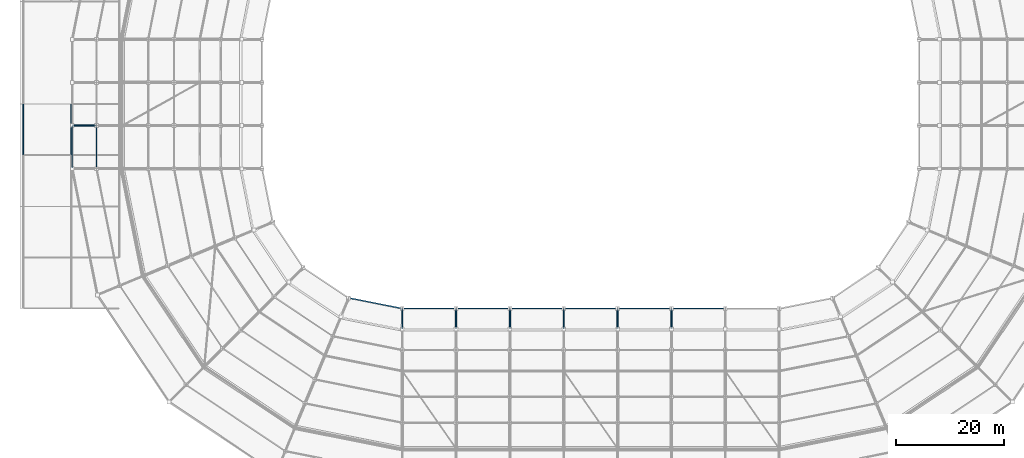
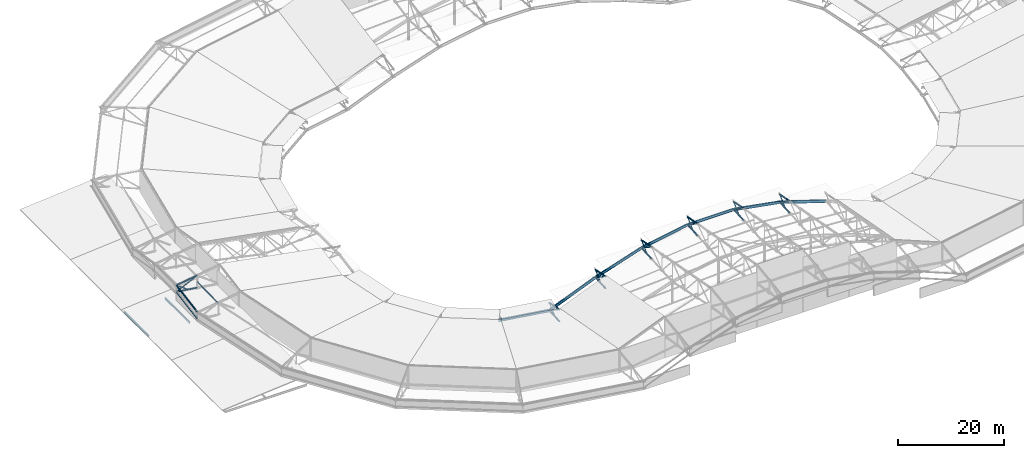
# One storey, part 36 of 146: 31 members, 9 beams.
"""IFC4 building model written with IfcOpenShell, lengths in metres."""

import ifcopenshell
import ifcopenshell.guid

model = None  # the IFC model being written
_history = None  # IfcOwnerHistory: only IFC2X3 demands one
_inside = {}  # id of a spatial element -> (the spatial element, [elements in it])
_under = {}  # id of a project, library or spatial element -> (it, [spatial elements below it])
_declared = {}  # id of a project -> (the project, [libraries it declares])
_typed = {}  # id of a type object -> (the type object, [elements of that type])
_made_of = {}  # id of a material, layer set ... -> (it, [elements and type objects made of it])


def new_model(schema):
    """Start an empty IFC model of exactly this schema.

    Asked for "IFC4X3", IfcOpenShell would pick the latest addendum, in which some entities
    have other attributes; the version numbers below select the first issue.
    IFC2X3 requires an IfcOwnerHistory on every rooted entity: one is made here for all.
    """
    global model, _history
    if schema == "IFC4X3":
        model = ifcopenshell.file(schema_version=(4, 3, 0, 0))
    else:
        model = ifcopenshell.file(schema=schema)
    _inside.clear()
    _under.clear()
    _declared.clear()
    _typed.clear()
    _made_of.clear()
    _history = None
    if model.schema == "IFC2X3":
        org = make("IfcOrganization", Name="unknown")
        user = make(
            "IfcPersonAndOrganization",
            ThePerson=make("IfcPerson", FamilyName="unknown"),
            TheOrganization=org,
        )
        app = make(
            "IfcApplication",
            ApplicationDeveloper=org,
            Version="unknown",
            ApplicationFullName="unknown",
            ApplicationIdentifier="unknown",
        )
        _history = make(
            "IfcOwnerHistory",
            OwningUser=user,
            OwningApplication=app,
            ChangeAction="ADDED",
            CreationDate=0,
        )
    return model


def make(cls, **values):
    """One entity of the class cls with the attributes given. An attribute that is None is left unset."""
    return model.create_entity(
        cls, **{name: value for name, value in values.items() if value is not None}
    )


def rooted(cls, **values):
    """An entity with a GlobalId (a new one), such as an element, a storey or a relation."""
    return make(cls, GlobalId=ifcopenshell.guid.new(), OwnerHistory=_history, **values)


def si_unit(unit_type, name, prefix=None):
    """IfcSIUnit, for example si_unit("LENGTHUNIT", "METRE", prefix="MILLI")."""
    return make("IfcSIUnit", UnitType=unit_type, Prefix=prefix, Name=name)


def assignment(units):
    """IfcUnitAssignment: the units of a project."""
    return None if units is None else make("IfcUnitAssignment", Units=units)


def point(xyz):
    """IfcCartesianPoint."""
    return None if xyz is None else make("IfcCartesianPoint", Coordinates=xyz)


def direction(xyz):
    """IfcDirection."""
    return None if xyz is None else make("IfcDirection", DirectionRatios=xyz)


def frame(location, z_axis=None, x_axis=None):
    """IfcAxis2Placement3D, a coordinate frame: its origin and axes. An axis left out is left unset."""
    return make(
        "IfcAxis2Placement3D",
        Location=point(location),
        Axis=direction(z_axis),
        RefDirection=direction(x_axis),
    )


def frame_2d(location, x_axis=None):
    """IfcAxis2Placement2D, a coordinate frame in the plane: its origin and x axis."""
    return make(
        "IfcAxis2Placement2D", Location=point(location), RefDirection=direction(x_axis)
    )


def origin():
    """The frame at (0, 0, 0) with its axes left unset."""
    return frame((0.0, 0.0, 0.0))


def origin_2d():
    """The frame at (0, 0) in the plane with its x axis left unset."""
    return frame_2d((0.0, 0.0))


def place(relative_to, where):
    """IfcLocalPlacement: puts the frame where relative to a parent placement (None: the world)."""
    return make(
        "IfcLocalPlacement", PlacementRelTo=relative_to, RelativePlacement=where
    )


def context(
    kind, dimensions, precision=None, world=None, true_north=None, identifier=None
):
    """IfcGeometricRepresentationContext, for example the 3D "Model" context."""
    return make(
        "IfcGeometricRepresentationContext",
        ContextIdentifier=identifier,
        ContextType=kind,
        CoordinateSpaceDimension=dimensions,
        Precision=precision,
        WorldCoordinateSystem=world,
        TrueNorth=true_north,
    )


def subcontext(parent, identifier, kind, view, scale=None):
    """IfcGeometricRepresentationSubContext, for example "Body" below "Model"."""
    return make(
        "IfcGeometricRepresentationSubContext",
        ContextIdentifier=identifier,
        ContextType=kind,
        ParentContext=parent,
        TargetScale=scale,
        TargetView=view,
    )


def project(units=None, contexts=None):
    """IfcProject with its units and contexts."""
    return rooted(
        "IfcProject",
        Name="project",
        RepresentationContexts=contexts,
        UnitsInContext=assignment(units),
    )


def spatial(cls, under=None, at=None, **own):
    """A site, building, storey or space (cls), placed at a placement, below another one or the project."""
    s = rooted(cls, ObjectPlacement=at, **own)
    if under is not None:
        _under.setdefault(under.id(), (under, []))[1].append(s)
    return s


def profile(cls, at=None, kind="AREA", **sizes):
    """A parametric profile (cls). Its sizes go by their IFC names, for example OverallWidth=200.0."""
    return make(cls, ProfileType=kind, Position=at, **sizes)


def hollow_circle(**sizes):
    """IfcCircleHollowProfileDef."""
    return profile("IfcCircleHollowProfileDef", **sizes)


def i_section(**sizes):
    """IfcIShapeProfileDef."""
    return profile("IfcIShapeProfileDef", **sizes)


def extrude(swept, where, along, depth):
    """IfcExtrudedAreaSolid: the profile swept, set in the frame where, extruded along a direction by depth."""
    return make(
        "IfcExtrudedAreaSolid",
        SweptArea=swept,
        Position=where,
        ExtrudedDirection=direction(along),
        Depth=depth,
    )


def shape(context_of_items, identifier, shape_type, items):
    """IfcShapeRepresentation: the items that make up one representation, for example the "Body"."""
    return make(
        "IfcShapeRepresentation",
        ContextOfItems=context_of_items,
        RepresentationIdentifier=identifier,
        RepresentationType=shape_type,
        Items=items,
    )


def material(Name=None, Category=None):
    """IfcMaterial."""
    return make("IfcMaterial", Name=Name, Category=Category)


def material_profile(
    of_material, cross_section, Name=None, Category=None, Priority=None
):
    """IfcMaterialProfile: a cross section and its material."""
    return make(
        "IfcMaterialProfile",
        Name=Name,
        Material=of_material,
        Profile=cross_section,
        Priority=Priority,
        Category=Category,
    )


def profile_set(profiles, Name=None, composite=None):
    """IfcMaterialProfileSet."""
    return make(
        "IfcMaterialProfileSet",
        Name=Name,
        MaterialProfiles=profiles,
        CompositeProfile=composite,
    )


def made_of(thing, what):
    """Note that an element or type object is made of a material, layer set ...; save() writes the relation."""
    if what is not None:
        _made_of.setdefault(what.id(), (what, []))[1].append(thing)
    return thing


def type_object(cls, material=None, **own):
    """A type object (cls), such as IfcWallType, which elements share."""
    return made_of(rooted(cls, **own), material)


def element(
    cls,
    number,
    at=None,
    inside=None,
    cuts=None,
    type_object=None,
    material=None,
    context=None,
    identifier="Body",
    shape_type=None,
    held_by="IfcProductDefinitionShape",
    body=None,
    shapes=None,
    **own,
):
    """One element of the class cls, such as IfcWall. Its Tag is "e" and its number.

    at: its placement. inside: the storey or other place that contains it. cuts: it is an
    opening in that element (IfcRelVoidsElement). A single representation is given by context,
    identifier, shape_type and body (its items); several are given by shapes. held_by: the class
    of the entity that holds the representations. save() writes the other relations.
    """
    e = rooted(cls, Tag="e%d" % number, ObjectPlacement=at, **own)
    if body is not None:
        shapes = [shape(context, identifier, shape_type, body)]
    if shapes is not None:
        e.Representation = make(held_by, Representations=shapes)
    if inside is not None:
        _inside.setdefault(inside.id(), (inside, []))[1].append(e)
    if cuts is not None:
        rooted(
            "IfcRelVoidsElement", RelatingBuildingElement=cuts, RelatedOpeningElement=e
        )
    if type_object is not None:
        _typed.setdefault(type_object.id(), (type_object, []))[1].append(e)
    return made_of(e, material)


def aggregate(whole, parts):
    """IfcRelAggregates: a whole, such as a stair, and the parts it consists of."""
    return rooted("IfcRelAggregates", RelatingObject=whole, RelatedObjects=parts)


def save(model, path):
    """Write the relations noted so far, then the file.

    IfcRelAggregates (storeys below a building ...), IfcRelContainedInSpatialStructure (elements
    in a storey), IfcRelDefinesByType, IfcRelAssociatesMaterial and IfcRelDeclares: one each for
    every whole, place, type object, material and project.
    """
    for whole, parts in _under.values():
        aggregate(whole, parts)
    for where, things in _inside.values():
        rooted(
            "IfcRelContainedInSpatialStructure",
            RelatedElements=things,
            RelatingStructure=where,
        )
    for kind, things in _typed.values():
        rooted("IfcRelDefinesByType", RelatedObjects=things, RelatingType=kind)
    for what, things in _made_of.values():
        rooted("IfcRelAssociatesMaterial", RelatedObjects=things, RelatingMaterial=what)
    for by, libraries in _declared.values():
        rooted("IfcRelDeclares", RelatingContext=by, RelatedDefinitions=libraries)
    model.write(path)


model = new_model("IFC4")

# Units and contexts
model_context = context("Model", 3, precision=1e-05, world=origin(), true_north=direction((0.0, 1.0)))
body_context = subcontext(model_context, "Body", "Model", "MODEL_VIEW")
ifc_project = project(units=[si_unit("LENGTHUNIT", "METRE"), si_unit("AREAUNIT", "SQUARE_METRE"), si_unit("VOLUMEUNIT", "CUBIC_METRE"), si_unit("PLANEANGLEUNIT", "RADIAN"), si_unit("MASSUNIT", "GRAM", prefix="KILO")], contexts=[model_context])

# Site, building, storey
site_placement = place(None, origin())
site = spatial("IfcSite", under=ifc_project, at=site_placement, CompositionType="ELEMENT")
building_placement = place(site_placement, origin())
building = spatial("IfcBuilding", under=site, at=building_placement, Name="Candeia Ridge Stadium", CompositionType="ELEMENT")
storey_placement = place(building_placement, frame((0.0, 0.0, 31.800048828125)))
storey = spatial("IfcBuildingStorey", under=building, at=storey_placement, Name="RF", CompositionType="ELEMENT", Elevation=31.800048828125)

# Beams
ifc_material = material(Name="Steel ASTM A572 Grade 50", Category="steel")
ifc_material_profile_1 = material_profile(ifc_material, i_section(OverallWidth=0.18994140625, OverallDepth=0.45703125, WebThickness=0.009033203125, FlangeThickness=0.014404296875, FilletRadius=0.012939453125, at=origin_2d()), Name="W460x74", Category="steel")
ifc_profile_set_1 = profile_set([ifc_material_profile_1], Name="Steel ASTM A572 Grade 50")
beam_type_1 = type_object("IfcBeamType", Name="Pavilion Steel Girder W460x74", PredefinedType="BEAM", material=ifc_profile_set_1)
for number, where, z_axis, x_axis, name in (
    (1, (0.60009765625, 73.550048828125, -0.57861328125), (0.0, 1.0, 0.0), (-1.0, 0.0, 0.0), "Structural girder BM-RF-1422"),
    (2, (9.5, 73.550048828125, -0.57861328125), (0.0, 1.0, 0.0), (-1.0, 0.0, 0.0), "Structural girder BM-RF-1430"),
):
    element("IfcBeam", number, at=place(storey_placement, frame(where, z_axis=z_axis, x_axis=x_axis)), inside=storey, type_object=beam_type_1, Name=name, PredefinedType="BEAM", context=body_context, shape_type="SweptSolid", body=[
        extrude(i_section(OverallWidth=0.18994140625, OverallDepth=0.45703125, WebThickness=0.009033203125, FlangeThickness=0.014404296875, FilletRadius=0.012939453125, at=origin_2d()), origin(), (0.0, 0.0, 1.0), 9.39990234375),
    ])
ifc_material_profile_2 = material_profile(ifc_material, i_section(OverallWidth=0.22998046875, OverallDepth=0.616943359375, WebThickness=0.01318359375, FlangeThickness=0.022216796875, FilletRadius=0.014892578125, at=origin_2d()), Name="W610x140", Category="steel")
ifc_profile_set_2 = profile_set([ifc_material_profile_2], Name="Steel ASTM A572 Grade 50")
beam_type_2 = type_object("IfcBeamType", Name="Roof Inner Tension Ring Beam W610x140", PredefinedType="BEAM", material=ifc_profile_set_2)
beam_1_placement = place(storey_placement, frame((61.08935546875, 46.971435546875, -1.9599609375), z_axis=(0.980783534047, -0.195099101337, 0.0), x_axis=(0.195099101337, 0.980783534047, 0.0)))
element("IfcBeam", 3, at=beam_1_placement, inside=storey, type_object=beam_type_2, Name="Roof inner tension ring beam bay 18", PredefinedType="BEAM", context=body_context, shape_type="SweptSolid", body=[
    extrude(i_section(OverallWidth=0.22998046875, OverallDepth=0.616943359375, WebThickness=0.01318359375, FlangeThickness=0.022216796875, FilletRadius=0.014892578125, at=origin_2d()), origin(), (0.0, 0.0, 1.0), 10.064697265625),
])
beam_2_placement = place(storey_placement, frame((71.037109375, 45.0, -1.94482421875), z_axis=(0.925953474799, 0.0, 0.37763760738), x_axis=(0.0, 1.0, 0.0)))
element("IfcBeam", 4, at=beam_2_placement, inside=storey, type_object=beam_type_2, Name="Roof inner tension ring beam bay 19", PredefinedType="BEAM", context=body_context, shape_type="SweptSolid", body=[
    extrude(i_section(OverallWidth=0.22998046875, OverallDepth=0.616943359375, WebThickness=0.01318359375, FlangeThickness=0.022216796875, FilletRadius=0.014892578125, at=origin_2d()), origin(), (0.0, 0.0, 1.0), 10.719482421875),
])
beam_3_placement = place(storey_placement, frame((81.0380859375, 45.0, 2.130859375), z_axis=(0.950452285368, 0.0, 0.310870476628), x_axis=(0.0, 1.0, 0.0)))
element("IfcBeam", 5, at=beam_3_placement, inside=storey, type_object=beam_type_2, Name="Roof inner tension ring beam bay 20", PredefinedType="BEAM", context=body_context, shape_type="SweptSolid", body=[
    extrude(i_section(OverallWidth=0.22998046875, OverallDepth=0.616943359375, WebThickness=0.01318359375, FlangeThickness=0.022216796875, FilletRadius=0.014892578125, at=origin_2d()), origin(), (0.0, 0.0, 1.0), 10.441162109375),
])
beam_4_placement = place(storey_placement, frame((91.039306640625, 45.0, 5.396240234375), z_axis=(0.983924099588, 0.0, 0.178587139095), x_axis=(0.0, 1.0, 0.0)))
element("IfcBeam", 6, at=beam_4_placement, inside=storey, type_object=beam_type_2, Name="Roof inner tension ring beam bay 21", PredefinedType="BEAM", context=body_context, shape_type="SweptSolid", body=[
    extrude(i_section(OverallWidth=0.22998046875, OverallDepth=0.616943359375, WebThickness=0.01318359375, FlangeThickness=0.022216796875, FilletRadius=0.014892578125, at=origin_2d()), origin(), (0.0, 0.0, 1.0), 10.08349609375),
])
beam_5_placement = place(storey_placement, frame((101.0400390625, 45.0, 7.204345703125), z_axis=(1.0, 0.0, 0.0), x_axis=(0.0, 1.0, 0.0)))
element("IfcBeam", 7, at=beam_5_placement, inside=storey, type_object=beam_type_2, Name="Roof inner tension ring beam bay 22", PredefinedType="BEAM", context=body_context, shape_type="SweptSolid", body=[
    extrude(i_section(OverallWidth=0.22998046875, OverallDepth=0.616943359375, WebThickness=0.01318359375, FlangeThickness=0.022216796875, FilletRadius=0.014892578125, at=origin_2d()), origin(), (0.0, 0.0, 1.0), 9.919921875),
])
beam_6_placement = place(storey_placement, frame((111.039306640625, 45.0, 7.197021484375), z_axis=(0.983924099588, 0.0, -0.178587139095), x_axis=(0.0, 1.0, 0.0)))
element("IfcBeam", 8, at=beam_6_placement, inside=storey, type_object=beam_type_2, Name="Roof inner tension ring beam bay 23", PredefinedType="BEAM", context=body_context, shape_type="SweptSolid", body=[
    extrude(i_section(OverallWidth=0.22998046875, OverallDepth=0.616943359375, WebThickness=0.01318359375, FlangeThickness=0.022216796875, FilletRadius=0.014892578125, at=origin_2d()), origin(), (0.0, 0.0, 1.0), 10.08349609375),
])
beam_7_placement = place(storey_placement, frame((121.0380859375, 45.0, 5.376708984375), z_axis=(0.950452285368, 0.0, -0.310870476628), x_axis=(0.0, 1.0, 0.0)))
element("IfcBeam", 9, at=beam_7_placement, inside=storey, type_object=beam_type_2, Name="Roof inner tension ring beam bay 24", PredefinedType="BEAM", context=body_context, shape_type="SweptSolid", body=[
    extrude(i_section(OverallWidth=0.22998046875, OverallDepth=0.616943359375, WebThickness=0.01318359375, FlangeThickness=0.022216796875, FilletRadius=0.014892578125, at=origin_2d()), origin(), (0.0, 0.0, 1.0), 10.441162109375),
])

# Members
ifc_material_profile_3 = material_profile(ifc_material, i_section(OverallWidth=0.1650390625, OverallDepth=0.200927734375, WebThickness=0.006103515625, FlangeThickness=0.01025390625, FilletRadius=0.010009765625, at=origin_2d()), Name="W200x35.9", Category="steel")
ifc_profile_set_3 = profile_set([ifc_material_profile_3], Name="Steel ASTM A572 Grade 50")
member_type_1 = type_object("IfcMemberType", Name="Roof Purlin W200x35.9", PredefinedType="PURLIN", material=ifc_profile_set_3)
member_1_placement = place(storey_placement, frame((14.199951171875, 78.949951171875, 3.93115234375), z_axis=(0.0, -0.999705859837, -0.024252707212), x_axis=(1.0, 0.0, 0.0)))
element("IfcMember", 10, at=member_1_placement, inside=storey, type_object=member_type_1, Name="Saddle roof steel purlin bay 14-5", PredefinedType="PURLIN", context=body_context, shape_type="SweptSolid", body=[
    extrude(i_section(OverallWidth=0.1650390625, OverallDepth=0.200927734375, WebThickness=0.006103515625, FlangeThickness=0.01025390625, FilletRadius=0.010009765625, at=origin_2d()), origin(), (0.0, 0.0, 1.0), 7.90234375),
])
ifc_material_profile_4 = material_profile(ifc_material, hollow_circle(Radius=0.161865234375, WallThickness=0.012451171875, at=origin_2d()), Name="CHS323x12", Category="steel")
ifc_profile_set_4 = profile_set([ifc_material_profile_4], Name="Steel ASTM A572 Grade 50")
member_type_2 = type_object("IfcMemberType", Name="Roof Truss Eaves Chord CHS323x12", PredefinedType="CHORD", material=ifc_profile_set_4)
member_2_placement = place(storey_placement, frame((14.199951171875, 79.0, 5.343994140625), z_axis=(-0.988855931513, 0.0, -0.148875608179), x_axis=(0.0, -1.0, 0.0)))
element("IfcMember", 11, at=member_2_placement, inside=storey, type_object=member_type_2, Name="Roof cantilever truss RT-14 top chord 8", PredefinedType="CHORD", context=body_context, shape_type="SweptSolid", body=[
    extrude(hollow_circle(Radius=0.161865234375, WallThickness=0.012451171875, at=origin_2d()), origin(), (0.0, 0.0, 1.0), 4.55078125),
])
member_3_placement = place(storey_placement, frame((14.199951171875, 79.0, 2.537353515625), z_axis=(-0.990367404155, 0.0, 0.138464453153), x_axis=(0.0, -1.0, 0.0)))
element("IfcMember", 12, at=member_3_placement, inside=storey, type_object=member_type_2, Name="Roof cantilever truss RT-14 bottom chord 8", PredefinedType="CHORD", context=body_context, shape_type="SweptSolid", body=[
    extrude(hollow_circle(Radius=0.161865234375, WallThickness=0.012451171875, at=origin_2d()), origin(), (0.0, 0.0, 1.0), 4.543701171875),
])
for number, where, z_axis, x_axis, name in (
    (13, (9.699951171875, 78.84228515625, 4.63916015625), (0.0, -0.985333505605, -0.170639628258), (1.0, 0.0, 0.0), "Saddle roof outer eaves top ring chord bay 14"),
    (14, (9.699951171875, 78.84228515625, 3.13916015625), (0.0, -0.985333505605, -0.170639628258), (1.0, 0.0, 0.0), "Saddle roof outer eaves bottom ring chord bay 14"),
):
    element("IfcMember", number, at=place(storey_placement, frame(where, z_axis=z_axis, x_axis=x_axis)), inside=storey, type_object=member_type_2, Name=name, PredefinedType="CHORD", context=body_context, shape_type="SweptSolid", body=[
        extrude(hollow_circle(Radius=0.161865234375, WallThickness=0.012451171875, at=origin_2d()), origin(), (0.0, 0.0, 1.0), 7.799072265625),
    ])
ifc_material_profile_5 = material_profile(ifc_material, hollow_circle(Radius=0.109619140625, WallThickness=0.010009765625, at=origin_2d()), Name="CHS219x10", Category="steel")
ifc_profile_set_5 = profile_set([ifc_material_profile_5], Name="Steel ASTM A572 Grade 50")
member_type_3 = type_object("IfcMemberType", Name="Roof Truss Inner Web Brace CHS219x10", PredefinedType="BRACE", material=ifc_profile_set_5)
member_4_placement = place(storey_placement, frame((14.199951171875, 79.0, 5.343994140625), z_axis=(-0.900153692386, 0.0, -0.435572416579), x_axis=(0.0, -1.0, 0.0)))
element("IfcMember", 15, at=member_4_placement, inside=storey, type_object=member_type_3, Name="Roof cantilever truss RT-14 diagonal web 8", PredefinedType="BRACE", context=body_context, shape_type="SweptSolid", body=[
    extrude(hollow_circle(Radius=0.109619140625, WallThickness=0.010009765625, at=origin_2d()), origin(), (0.0, 0.0, 1.0), 4.999267578125),
])
member_5_placement = place(storey_placement, frame((12.175048828125, 79.0, 2.820556640625), z_axis=(-0.80161013398, 0.0, 0.597847131883), x_axis=(0.0, -1.0, 0.0)))
element("IfcMember", 16, at=member_5_placement, inside=storey, type_object=member_type_3, Name="Roof cantilever truss RT-14 vertical post 8", PredefinedType="BRACE", context=body_context, shape_type="SweptSolid", body=[
    extrude(hollow_circle(Radius=0.109619140625, WallThickness=0.010009765625, at=origin_2d()), origin(), (0.0, 0.0, 1.0), 3.087646484375),
])
member_6_placement = place(storey_placement, frame((71.0, 45.0, -1.9599609375), z_axis=(0.0, -0.835124576935, 0.550060852087), x_axis=(1.0, 0.0, 0.0)))
element("IfcMember", 17, at=member_6_placement, inside=storey, type_object=member_type_3, Name="Roof cantilever truss RT-19 diagonal web 1", PredefinedType="BRACE", context=body_context, shape_type="SweptSolid", body=[
    extrude(hollow_circle(Radius=0.109619140625, WallThickness=0.010009765625, at=origin_2d()), origin(), (0.0, 0.0, 1.0), 4.55029296875),
])
member_7_placement = place(storey_placement, frame((71.0, 42.909912109375, -2.077880859375), z_axis=(0.0, 0.736836090738, 0.676071427725), x_axis=(-1.0, 0.0, 0.0)))
element("IfcMember", 18, at=member_7_placement, inside=storey, type_object=member_type_3, Name="Roof cantilever truss RT-19 vertical post 0", PredefinedType="BRACE", context=body_context, shape_type="SweptSolid", body=[
    extrude(hollow_circle(Radius=0.109619140625, WallThickness=0.010009765625, at=origin_2d()), origin(), (0.0, 0.0, 1.0), 2.836669921875),
])
member_8_placement = place(storey_placement, frame((81.0, 45.0, 2.118408203125), z_axis=(0.0, -0.835124576935, 0.550060852087), x_axis=(1.0, 0.0, 0.0)))
element("IfcMember", 19, at=member_8_placement, inside=storey, type_object=member_type_3, Name="Roof cantilever truss RT-20 diagonal web 1", PredefinedType="BRACE", context=body_context, shape_type="SweptSolid", body=[
    extrude(hollow_circle(Radius=0.109619140625, WallThickness=0.010009765625, at=origin_2d()), origin(), (0.0, 0.0, 1.0), 4.55029296875),
])
member_9_placement = place(storey_placement, frame((81.0, 42.909912109375, 2.000732421875), z_axis=(0.0, 0.736836090738, 0.676071427725), x_axis=(-1.0, 0.0, 0.0)))
element("IfcMember", 20, at=member_9_placement, inside=storey, type_object=member_type_3, Name="Roof cantilever truss RT-20 vertical post 0", PredefinedType="BRACE", context=body_context, shape_type="SweptSolid", body=[
    extrude(hollow_circle(Radius=0.109619140625, WallThickness=0.010009765625, at=origin_2d()), origin(), (0.0, 0.0, 1.0), 2.836669921875),
])
member_10_placement = place(storey_placement, frame((91.0, 45.0, 5.38916015625), z_axis=(0.0, -0.835124576935, 0.550060852087), x_axis=(1.0, 0.0, 0.0)))
element("IfcMember", 21, at=member_10_placement, inside=storey, type_object=member_type_3, Name="Roof cantilever truss RT-21 diagonal web 1", PredefinedType="BRACE", context=body_context, shape_type="SweptSolid", body=[
    extrude(hollow_circle(Radius=0.109619140625, WallThickness=0.010009765625, at=origin_2d()), origin(), (0.0, 0.0, 1.0), 4.55029296875),
])
member_11_placement = place(storey_placement, frame((91.0, 42.909912109375, 5.271240234375), z_axis=(0.0, 0.736793216186, 0.676118152827), x_axis=(-1.0, 0.0, 0.0)))
element("IfcMember", 22, at=member_11_placement, inside=storey, type_object=member_type_3, Name="Roof cantilever truss RT-21 vertical post 0", PredefinedType="BRACE", context=body_context, shape_type="SweptSolid", body=[
    extrude(hollow_circle(Radius=0.109619140625, WallThickness=0.010009765625, at=origin_2d()), origin(), (0.0, 0.0, 1.0), 2.836669921875),
])
member_12_placement = place(storey_placement, frame((101.0, 45.0, 7.204345703125), z_axis=(0.0, -0.835124576935, 0.550060852087), x_axis=(1.0, 0.0, 0.0)))
element("IfcMember", 23, at=member_12_placement, inside=storey, type_object=member_type_3, Name="Roof cantilever truss RT-22 diagonal web 1", PredefinedType="BRACE", context=body_context, shape_type="SweptSolid", body=[
    extrude(hollow_circle(Radius=0.109619140625, WallThickness=0.010009765625, at=origin_2d()), origin(), (0.0, 0.0, 1.0), 4.55029296875),
])
member_13_placement = place(storey_placement, frame((101.0, 42.909912109375, 7.08642578125), z_axis=(0.0, 0.736836090738, 0.676071427725), x_axis=(-1.0, 0.0, 0.0)))
element("IfcMember", 24, at=member_13_placement, inside=storey, type_object=member_type_3, Name="Roof cantilever truss RT-22 vertical post 0", PredefinedType="BRACE", context=body_context, shape_type="SweptSolid", body=[
    extrude(hollow_circle(Radius=0.109619140625, WallThickness=0.010009765625, at=origin_2d()), origin(), (0.0, 0.0, 1.0), 2.836669921875),
])
member_14_placement = place(storey_placement, frame((111.0, 45.0, 7.204345703125), z_axis=(0.0, -0.835124576935, 0.550060852087), x_axis=(1.0, 0.0, 0.0)))
element("IfcMember", 25, at=member_14_placement, inside=storey, type_object=member_type_3, Name="Roof cantilever truss RT-23 diagonal web 1", PredefinedType="BRACE", context=body_context, shape_type="SweptSolid", body=[
    extrude(hollow_circle(Radius=0.109619140625, WallThickness=0.010009765625, at=origin_2d()), origin(), (0.0, 0.0, 1.0), 4.55029296875),
])
member_15_placement = place(storey_placement, frame((111.0, 42.909912109375, 7.08642578125), z_axis=(0.0, 0.736836090738, 0.676071427725), x_axis=(-1.0, 0.0, 0.0)))
element("IfcMember", 26, at=member_15_placement, inside=storey, type_object=member_type_3, Name="Roof cantilever truss RT-23 vertical post 0", PredefinedType="BRACE", context=body_context, shape_type="SweptSolid", body=[
    extrude(hollow_circle(Radius=0.109619140625, WallThickness=0.010009765625, at=origin_2d()), origin(), (0.0, 0.0, 1.0), 2.836669921875),
])
member_16_placement = place(storey_placement, frame((121.0, 45.0, 5.38916015625), z_axis=(0.0, -0.835124576935, 0.550060852087), x_axis=(1.0, 0.0, 0.0)))
element("IfcMember", 27, at=member_16_placement, inside=storey, type_object=member_type_3, Name="Roof cantilever truss RT-24 diagonal web 1", PredefinedType="BRACE", context=body_context, shape_type="SweptSolid", body=[
    extrude(hollow_circle(Radius=0.109619140625, WallThickness=0.010009765625, at=origin_2d()), origin(), (0.0, 0.0, 1.0), 4.55029296875),
])
member_17_placement = place(storey_placement, frame((121.0, 42.909912109375, 5.271240234375), z_axis=(0.0, 0.736793216186, 0.676118152827), x_axis=(-1.0, 0.0, 0.0)))
element("IfcMember", 28, at=member_17_placement, inside=storey, type_object=member_type_3, Name="Roof cantilever truss RT-24 vertical post 0", PredefinedType="BRACE", context=body_context, shape_type="SweptSolid", body=[
    extrude(hollow_circle(Radius=0.109619140625, WallThickness=0.010009765625, at=origin_2d()), origin(), (0.0, 0.0, 1.0), 2.836669921875),
])
ifc_material_profile_6 = material_profile(ifc_material, hollow_circle(Radius=0.177734375, WallThickness=0.01416015625, at=origin_2d()), Name="CHS355x14", Category="steel")
ifc_profile_set_6 = profile_set([ifc_material_profile_6], Name="Steel ASTM A572 Grade 50")
member_type_4 = type_object("IfcMemberType", Name="Roof Truss Tip Chord CHS355x14", PredefinedType="CHORD", material=ifc_profile_set_6)
member_18_placement = place(storey_placement, frame((71.0, 45.0, -0.16015625), z_axis=(0.0, -0.983309224326, 0.181942214331), x_axis=(1.0, 0.0, 0.0)))
element("IfcMember", 29, at=member_18_placement, inside=storey, type_object=member_type_4, Name="Roof cantilever truss RT-19 top chord 1", PredefinedType="CHORD", context=body_context, shape_type="SweptSolid", body=[
    extrude(hollow_circle(Radius=0.177734375, WallThickness=0.01416015625, at=origin_2d()), origin(), (0.0, 0.0, 1.0), 3.864501953125),
])
member_19_placement = place(storey_placement, frame((71.0, 45.0, -1.9599609375), z_axis=(0.0, -0.99841282113, -0.056319078506), x_axis=(1.0, 0.0, 0.0)))
element("IfcMember", 30, at=member_19_placement, inside=storey, type_object=member_type_4, Name="Roof cantilever truss RT-19 bottom chord 1", PredefinedType="CHORD", context=body_context, shape_type="SweptSolid", body=[
    extrude(hollow_circle(Radius=0.177734375, WallThickness=0.01416015625, at=origin_2d()), origin(), (0.0, 0.0, 1.0), 3.80615234375),
])
member_20_placement = place(storey_placement, frame((81.0, 45.0, 3.91845703125), z_axis=(0.0, -0.9833205248, 0.181881130157), x_axis=(1.0, 0.0, 0.0)))
element("IfcMember", 31, at=member_20_placement, inside=storey, type_object=member_type_4, Name="Roof cantilever truss RT-20 top chord 1", PredefinedType="CHORD", context=body_context, shape_type="SweptSolid", body=[
    extrude(hollow_circle(Radius=0.177734375, WallThickness=0.01416015625, at=origin_2d()), origin(), (0.0, 0.0, 1.0), 3.864501953125),
])
member_21_placement = place(storey_placement, frame((81.0, 45.0, 2.118408203125), z_axis=(0.0, -0.998416425934, -0.05625513688), x_axis=(1.0, 0.0, 0.0)))
element("IfcMember", 32, at=member_21_placement, inside=storey, type_object=member_type_4, Name="Roof cantilever truss RT-20 bottom chord 1", PredefinedType="CHORD", context=body_context, shape_type="SweptSolid", body=[
    extrude(hollow_circle(Radius=0.177734375, WallThickness=0.01416015625, at=origin_2d()), origin(), (0.0, 0.0, 1.0), 3.80615234375),
])
member_22_placement = place(storey_placement, frame((91.0, 45.0, 7.189208984375), z_axis=(0.0, -0.9833205248, 0.181881130157), x_axis=(1.0, 0.0, 0.0)))
element("IfcMember", 33, at=member_22_placement, inside=storey, type_object=member_type_4, Name="Roof cantilever truss RT-21 top chord 1", PredefinedType="CHORD", context=body_context, shape_type="SweptSolid", body=[
    extrude(hollow_circle(Radius=0.177734375, WallThickness=0.01416015625, at=origin_2d()), origin(), (0.0, 0.0, 1.0), 3.864501953125),
])
member_23_placement = place(storey_placement, frame((91.0, 45.0, 5.38916015625), z_axis=(0.0, -0.998416425934, -0.05625513688), x_axis=(1.0, 0.0, 0.0)))
element("IfcMember", 34, at=member_23_placement, inside=storey, type_object=member_type_4, Name="Roof cantilever truss RT-21 bottom chord 1", PredefinedType="CHORD", context=body_context, shape_type="SweptSolid", body=[
    extrude(hollow_circle(Radius=0.177734375, WallThickness=0.01416015625, at=origin_2d()), origin(), (0.0, 0.0, 1.0), 3.80615234375),
])
member_24_placement = place(storey_placement, frame((101.0, 45.0, 9.004150390625), z_axis=(0.0, -0.983309224326, 0.181942214331), x_axis=(1.0, 0.0, 0.0)))
element("IfcMember", 35, at=member_24_placement, inside=storey, type_object=member_type_4, Name="Roof cantilever truss RT-22 top chord 1", PredefinedType="CHORD", context=body_context, shape_type="SweptSolid", body=[
    extrude(hollow_circle(Radius=0.177734375, WallThickness=0.01416015625, at=origin_2d()), origin(), (0.0, 0.0, 1.0), 3.864501953125),
])
member_25_placement = place(storey_placement, frame((101.0, 45.0, 7.204345703125), z_axis=(0.0, -0.99841282113, -0.056319078506), x_axis=(1.0, 0.0, 0.0)))
element("IfcMember", 36, at=member_25_placement, inside=storey, type_object=member_type_4, Name="Roof cantilever truss RT-22 bottom chord 1", PredefinedType="CHORD", context=body_context, shape_type="SweptSolid", body=[
    extrude(hollow_circle(Radius=0.177734375, WallThickness=0.01416015625, at=origin_2d()), origin(), (0.0, 0.0, 1.0), 3.80615234375),
])
member_26_placement = place(storey_placement, frame((111.0, 45.0, 9.004150390625), z_axis=(0.0, -0.983309224326, 0.181942214331), x_axis=(1.0, 0.0, 0.0)))
element("IfcMember", 37, at=member_26_placement, inside=storey, type_object=member_type_4, Name="Roof cantilever truss RT-23 top chord 1", PredefinedType="CHORD", context=body_context, shape_type="SweptSolid", body=[
    extrude(hollow_circle(Radius=0.177734375, WallThickness=0.01416015625, at=origin_2d()), origin(), (0.0, 0.0, 1.0), 3.864501953125),
])
member_27_placement = place(storey_placement, frame((111.0, 45.0, 7.204345703125), z_axis=(0.0, -0.99841282113, -0.056319078506), x_axis=(1.0, 0.0, 0.0)))
element("IfcMember", 38, at=member_27_placement, inside=storey, type_object=member_type_4, Name="Roof cantilever truss RT-23 bottom chord 1", PredefinedType="CHORD", context=body_context, shape_type="SweptSolid", body=[
    extrude(hollow_circle(Radius=0.177734375, WallThickness=0.01416015625, at=origin_2d()), origin(), (0.0, 0.0, 1.0), 3.80615234375),
])
member_28_placement = place(storey_placement, frame((121.0, 45.0, 7.189208984375), z_axis=(0.0, -0.9833205248, 0.181881130157), x_axis=(1.0, 0.0, 0.0)))
element("IfcMember", 39, at=member_28_placement, inside=storey, type_object=member_type_4, Name="Roof cantilever truss RT-24 top chord 1", PredefinedType="CHORD", context=body_context, shape_type="SweptSolid", body=[
    extrude(hollow_circle(Radius=0.177734375, WallThickness=0.01416015625, at=origin_2d()), origin(), (0.0, 0.0, 1.0), 3.864501953125),
])
member_29_placement = place(storey_placement, frame((121.0, 45.0, 5.38916015625), z_axis=(0.0, -0.998416425934, -0.05625513688), x_axis=(1.0, 0.0, 0.0)))
element("IfcMember", 40, at=member_29_placement, inside=storey, type_object=member_type_4, Name="Roof cantilever truss RT-24 bottom chord 1", PredefinedType="CHORD", context=body_context, shape_type="SweptSolid", body=[
    extrude(hollow_circle(Radius=0.177734375, WallThickness=0.01416015625, at=origin_2d()), origin(), (0.0, 0.0, 1.0), 3.80615234375),
])

save(model, "model.ifc")
